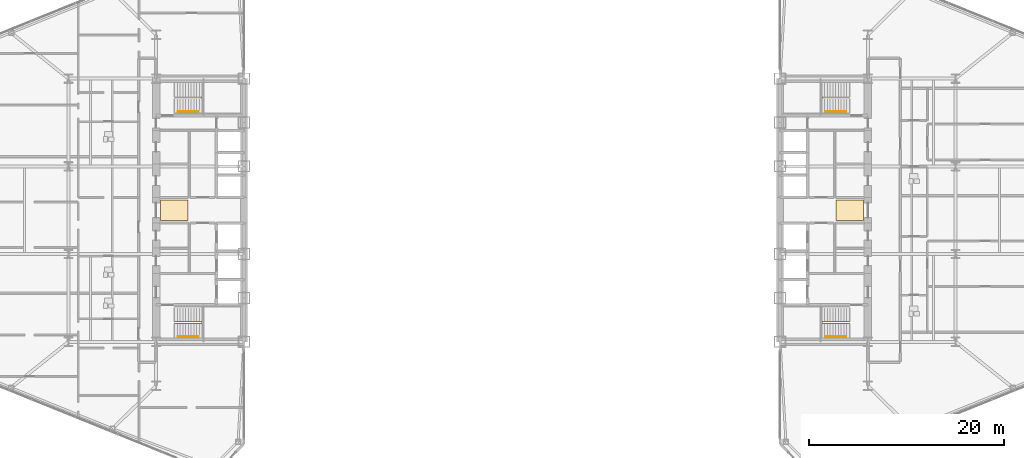
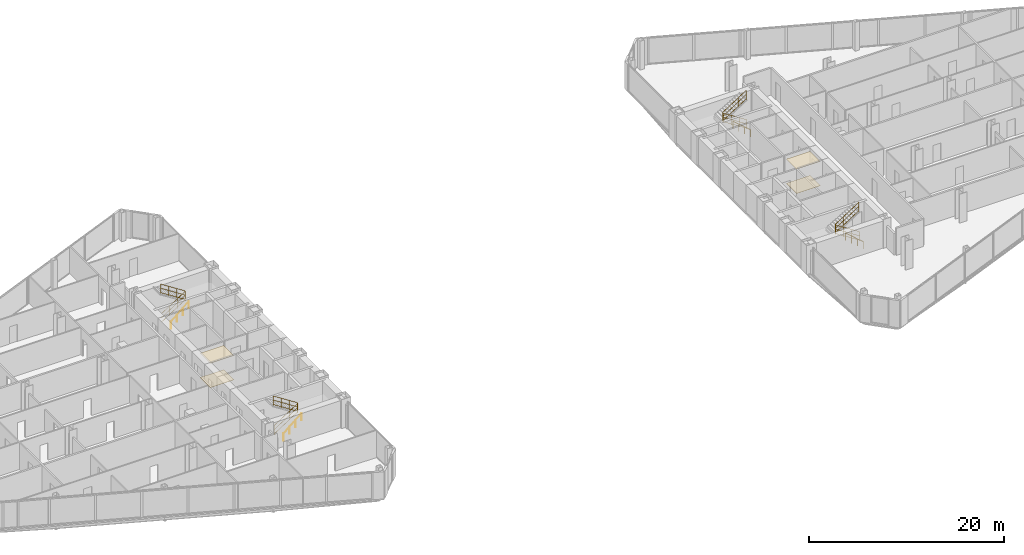
# One storey, part 24 of 25: 8 railings, 4 coverings.
"""IFC4 building model written with IfcOpenShell, lengths in metres."""

import ifcopenshell
import ifcopenshell.guid

model = None  # the IFC model being written
_history = None  # IfcOwnerHistory: only IFC2X3 demands one
_inside = {}  # id of a spatial element -> (the spatial element, [elements in it])
_under = {}  # id of a project, library or spatial element -> (it, [spatial elements below it])
_declared = {}  # id of a project -> (the project, [libraries it declares])
_typed = {}  # id of a type object -> (the type object, [elements of that type])
_made_of = {}  # id of a material, layer set ... -> (it, [elements and type objects made of it])


def new_model(schema):
    """Start an empty IFC model of exactly this schema.

    Asked for "IFC4X3", IfcOpenShell would pick the latest addendum, in which some entities
    have other attributes; the version numbers below select the first issue.
    IFC2X3 requires an IfcOwnerHistory on every rooted entity: one is made here for all.
    """
    global model, _history
    if schema == "IFC4X3":
        model = ifcopenshell.file(schema_version=(4, 3, 0, 0))
    else:
        model = ifcopenshell.file(schema=schema)
    _inside.clear()
    _under.clear()
    _declared.clear()
    _typed.clear()
    _made_of.clear()
    _history = None
    if model.schema == "IFC2X3":
        org = make("IfcOrganization", Name="unknown")
        user = make(
            "IfcPersonAndOrganization",
            ThePerson=make("IfcPerson", FamilyName="unknown"),
            TheOrganization=org,
        )
        app = make(
            "IfcApplication",
            ApplicationDeveloper=org,
            Version="unknown",
            ApplicationFullName="unknown",
            ApplicationIdentifier="unknown",
        )
        _history = make(
            "IfcOwnerHistory",
            OwningUser=user,
            OwningApplication=app,
            ChangeAction="ADDED",
            CreationDate=0,
        )
    return model


def make(cls, **values):
    """One entity of the class cls with the attributes given. An attribute that is None is left unset."""
    return model.create_entity(
        cls, **{name: value for name, value in values.items() if value is not None}
    )


def rooted(cls, **values):
    """An entity with a GlobalId (a new one), such as an element, a storey or a relation."""
    return make(cls, GlobalId=ifcopenshell.guid.new(), OwnerHistory=_history, **values)


def si_unit(unit_type, name, prefix=None):
    """IfcSIUnit, for example si_unit("LENGTHUNIT", "METRE", prefix="MILLI")."""
    return make("IfcSIUnit", UnitType=unit_type, Prefix=prefix, Name=name)


def assignment(units):
    """IfcUnitAssignment: the units of a project."""
    return None if units is None else make("IfcUnitAssignment", Units=units)


def point(xyz):
    """IfcCartesianPoint."""
    return None if xyz is None else make("IfcCartesianPoint", Coordinates=xyz)


def direction(xyz):
    """IfcDirection."""
    return None if xyz is None else make("IfcDirection", DirectionRatios=xyz)


def frame(location, z_axis=None, x_axis=None):
    """IfcAxis2Placement3D, a coordinate frame: its origin and axes. An axis left out is left unset."""
    return make(
        "IfcAxis2Placement3D",
        Location=point(location),
        Axis=direction(z_axis),
        RefDirection=direction(x_axis),
    )


def frame_2d(location, x_axis=None):
    """IfcAxis2Placement2D, a coordinate frame in the plane: its origin and x axis."""
    return make(
        "IfcAxis2Placement2D", Location=point(location), RefDirection=direction(x_axis)
    )


def origin():
    """The frame at (0, 0, 0) with its axes left unset."""
    return frame((0.0, 0.0, 0.0))


def origin_2d():
    """The frame at (0, 0) in the plane with its x axis left unset."""
    return frame_2d((0.0, 0.0))


def place(relative_to, where):
    """IfcLocalPlacement: puts the frame where relative to a parent placement (None: the world)."""
    return make(
        "IfcLocalPlacement", PlacementRelTo=relative_to, RelativePlacement=where
    )


def context(
    kind, dimensions, precision=None, world=None, true_north=None, identifier=None
):
    """IfcGeometricRepresentationContext, for example the 3D "Model" context."""
    return make(
        "IfcGeometricRepresentationContext",
        ContextIdentifier=identifier,
        ContextType=kind,
        CoordinateSpaceDimension=dimensions,
        Precision=precision,
        WorldCoordinateSystem=world,
        TrueNorth=true_north,
    )


def subcontext(parent, identifier, kind, view, scale=None):
    """IfcGeometricRepresentationSubContext, for example "Body" below "Model"."""
    return make(
        "IfcGeometricRepresentationSubContext",
        ContextIdentifier=identifier,
        ContextType=kind,
        ParentContext=parent,
        TargetScale=scale,
        TargetView=view,
    )


def project(units=None, contexts=None):
    """IfcProject with its units and contexts."""
    return rooted(
        "IfcProject",
        Name="project",
        RepresentationContexts=contexts,
        UnitsInContext=assignment(units),
    )


def spatial(cls, under=None, at=None, **own):
    """A site, building, storey or space (cls), placed at a placement, below another one or the project."""
    s = rooted(cls, ObjectPlacement=at, **own)
    if under is not None:
        _under.setdefault(under.id(), (under, []))[1].append(s)
    return s


def polyline(points):
    """IfcPolyline through the points."""
    return make("IfcPolyline", Points=[point(p) for p in points])


def profile(cls, at=None, kind="AREA", **sizes):
    """A parametric profile (cls). Its sizes go by their IFC names, for example OverallWidth=200.0."""
    return make(cls, ProfileType=kind, Position=at, **sizes)


def circle(**sizes):
    """IfcCircleProfileDef."""
    return profile("IfcCircleProfileDef", **sizes)


def outline(outer, holes=None, kind="AREA"):
    """IfcArbitraryClosedProfileDef: a profile drawn as a closed curve; with holes, ...WithVoids."""
    if holes is None:
        return make("IfcArbitraryClosedProfileDef", ProfileType=kind, OuterCurve=outer)
    return make(
        "IfcArbitraryProfileDefWithVoids",
        ProfileType=kind,
        OuterCurve=outer,
        InnerCurves=holes,
    )


def extrude(swept, where, along, depth):
    """IfcExtrudedAreaSolid: the profile swept, set in the frame where, extruded along a direction by depth."""
    return make(
        "IfcExtrudedAreaSolid",
        SweptArea=swept,
        Position=where,
        ExtrudedDirection=direction(along),
        Depth=depth,
    )


def shape(context_of_items, identifier, shape_type, items):
    """IfcShapeRepresentation: the items that make up one representation, for example the "Body"."""
    return make(
        "IfcShapeRepresentation",
        ContextOfItems=context_of_items,
        RepresentationIdentifier=identifier,
        RepresentationType=shape_type,
        Items=items,
    )


def material(Name=None, Category=None):
    """IfcMaterial."""
    return make("IfcMaterial", Name=Name, Category=Category)


def layer(
    of_material, thickness, ventilated=None, Name=None, Category=None, Priority=None
):
    """IfcMaterialLayer: one layer of a wall or slab, of a material (None: an air gap)."""
    return make(
        "IfcMaterialLayer",
        Material=of_material,
        LayerThickness=thickness,
        IsVentilated=ventilated,
        Name=Name,
        Category=Category,
        Priority=Priority,
    )


def layer_set(layers, Name=None):
    """IfcMaterialLayerSet."""
    return make("IfcMaterialLayerSet", MaterialLayers=layers, LayerSetName=Name)


def made_of(thing, what):
    """Note that an element or type object is made of a material, layer set ...; save() writes the relation."""
    if what is not None:
        _made_of.setdefault(what.id(), (what, []))[1].append(thing)
    return thing


def type_object(cls, material=None, **own):
    """A type object (cls), such as IfcWallType, which elements share."""
    return made_of(rooted(cls, **own), material)


def element(
    cls,
    number,
    at=None,
    inside=None,
    cuts=None,
    type_object=None,
    material=None,
    context=None,
    identifier="Body",
    shape_type=None,
    held_by="IfcProductDefinitionShape",
    body=None,
    shapes=None,
    **own,
):
    """One element of the class cls, such as IfcWall. Its Tag is "e" and its number.

    at: its placement. inside: the storey or other place that contains it. cuts: it is an
    opening in that element (IfcRelVoidsElement). A single representation is given by context,
    identifier, shape_type and body (its items); several are given by shapes. held_by: the class
    of the entity that holds the representations. save() writes the other relations.
    """
    e = rooted(cls, Tag="e%d" % number, ObjectPlacement=at, **own)
    if body is not None:
        shapes = [shape(context, identifier, shape_type, body)]
    if shapes is not None:
        e.Representation = make(held_by, Representations=shapes)
    if inside is not None:
        _inside.setdefault(inside.id(), (inside, []))[1].append(e)
    if cuts is not None:
        rooted(
            "IfcRelVoidsElement", RelatingBuildingElement=cuts, RelatedOpeningElement=e
        )
    if type_object is not None:
        _typed.setdefault(type_object.id(), (type_object, []))[1].append(e)
    return made_of(e, material)


def aggregate(whole, parts):
    """IfcRelAggregates: a whole, such as a stair, and the parts it consists of."""
    return rooted("IfcRelAggregates", RelatingObject=whole, RelatedObjects=parts)


def save(model, path):
    """Write the relations noted so far, then the file.

    IfcRelAggregates (storeys below a building ...), IfcRelContainedInSpatialStructure (elements
    in a storey), IfcRelDefinesByType, IfcRelAssociatesMaterial and IfcRelDeclares: one each for
    every whole, place, type object, material and project.
    """
    for whole, parts in _under.values():
        aggregate(whole, parts)
    for where, things in _inside.values():
        rooted(
            "IfcRelContainedInSpatialStructure",
            RelatedElements=things,
            RelatingStructure=where,
        )
    for kind, things in _typed.values():
        rooted("IfcRelDefinesByType", RelatedObjects=things, RelatingType=kind)
    for what, things in _made_of.values():
        rooted("IfcRelAssociatesMaterial", RelatedObjects=things, RelatingMaterial=what)
    for by, libraries in _declared.values():
        rooted("IfcRelDeclares", RelatingContext=by, RelatedDefinitions=libraries)
    model.write(path)


model = new_model("IFC4")

# Units and contexts
model_context = context("Model", 3, precision=1e-05, world=origin(), true_north=direction((0.0, 1.0)))
body_context = subcontext(model_context, "Body", "Model", "MODEL_VIEW")
ifc_project = project(units=[si_unit("LENGTHUNIT", "METRE"), si_unit("AREAUNIT", "SQUARE_METRE"), si_unit("VOLUMEUNIT", "CUBIC_METRE"), si_unit("PLANEANGLEUNIT", "RADIAN"), si_unit("MASSUNIT", "GRAM", prefix="KILO")], contexts=[model_context])

# Site, building, storey
site_placement = place(None, origin())
site = spatial("IfcSite", under=ifc_project, at=site_placement, CompositionType="ELEMENT")
building_placement = place(site_placement, origin())
building = spatial("IfcBuilding", under=site, at=building_placement, Name="Seokmaru Belvedere", CompositionType="ELEMENT")
storey_placement = place(building_placement, frame((0.0, 0.0, 51.300048828125)))
storey = spatial("IfcBuildingStorey", under=building, at=storey_placement, Name="L13", CompositionType="ELEMENT", Elevation=51.300048828125)

# Coverings
ifc_material_1 = material(Name="Engineered White Oak Timber", Category="wood")
ifc_layer_1 = layer(ifc_material_1, 0.02197265625)
ifc_layer_set_1 = layer_set([ifc_layer_1], Name="Engineered White Oak Timber")
covering_type_1 = type_object("IfcCoveringType", Name="Engineered Oak Residence Floor Finish 22", PredefinedType="FLOORING", material=ifc_layer_set_1)
covering_1_placement = place(storey_placement, origin())
element("IfcCovering", 1, at=covering_1_placement, inside=storey, type_object=covering_type_1, Name="L13 W Foyer Floor Finish", PredefinedType="FLOORING", context=body_context, shape_type="SweptSolid", body=[
    extrude(outline(polyline([(-36.050048828125, -1.050048828125), (-33.25, -1.050048828125), (-33.25, 1.050048828125), (-36.050048828125, 1.050048828125), (-36.050048828125, -1.050048828125)])), origin(), (0.0, 0.0, 1.0), 0.02197265625),
])
covering_2_placement = place(storey_placement, origin())
element("IfcCovering", 2, at=covering_2_placement, inside=storey, type_object=covering_type_1, Name="L13 E Foyer Floor Finish", PredefinedType="FLOORING", context=body_context, shape_type="SweptSolid", body=[
    extrude(outline(polyline([(33.25, -1.050048828125), (36.050048828125, -1.050048828125), (36.050048828125, 1.050048828125), (33.25, 1.050048828125), (33.25, -1.050048828125)])), origin(), (0.0, 0.0, 1.0), 0.02197265625),
])
ifc_material_2 = material(Name="Fire-Rated Gypsum Shaftwall")
ifc_layer_2 = layer(ifc_material_2, 0.02490234375)
ifc_layer_set_2 = layer_set([ifc_layer_2], Name="Fire-Rated Gypsum Shaftwall")
covering_type_2 = type_object("IfcCoveringType", Name="Perforated Acoustic Gypsum Suspended Ceiling 25", PredefinedType="CEILING", material=ifc_layer_set_2)
covering_3_placement = place(storey_placement, frame((0.0, 0.0, 3.030029296875)))
element("IfcCovering", 3, at=covering_3_placement, inside=storey, type_object=covering_type_2, Name="L13 W Lift Foyer Acoustic Ceiling", PredefinedType="CEILING", context=body_context, shape_type="SweptSolid", body=[
    extrude(outline(polyline([(-36.050048828125, -1.050048828125), (-33.25, -1.050048828125), (-33.25, 1.050048828125), (-36.050048828125, 1.050048828125), (-36.050048828125, -1.050048828125)])), origin(), (0.0, 0.0, 1.0), 0.02490234375),
])
covering_4_placement = place(storey_placement, frame((0.0, 0.0, 3.030029296875)))
element("IfcCovering", 4, at=covering_4_placement, inside=storey, type_object=covering_type_2, Name="L13 E Lift Foyer Acoustic Ceiling", PredefinedType="CEILING", context=body_context, shape_type="SweptSolid", body=[
    extrude(outline(polyline([(33.25, -1.050048828125), (36.050048828125, -1.050048828125), (36.050048828125, 1.050048828125), (33.25, 1.050048828125), (33.25, -1.050048828125)])), origin(), (0.0, 0.0, 1.0), 0.02490234375),
])

# Railings
ifc_material_3 = material(Name="Stainless Steel 316", Category="steel")
railing_type_1 = type_object("IfcRailingType", Name="Stainless Steel Wall and Flight Handrail 900", PredefinedType="HANDRAIL", material=ifc_material_3)
for number, where, name in (
    (5, (-34.25, -12.949951171875, 0.0), "L13 Stair ST-W1 Wall Handrail"),
    (6, (-34.25, 10.110107421875, 0.0), "L13 Stair ST-W2 Wall Handrail"),
):
    element("IfcRailing", number, at=place(storey_placement, frame(where)), inside=storey, type_object=railing_type_1, Name=name, PredefinedType="HANDRAIL", context=body_context, shape_type="SweptSolid", body=[
        extrude(circle(Radius=0.02392578125, at=origin_2d()), frame((0.0, 0.0, 0.8759765625), z_axis=(0.759262832861, 0.0, 0.650784104474), x_axis=(0.0, 1.0, 0.0)), (0.0, 0.0, 1.0), 2.765869140625),
        extrude(circle(Radius=0.02099609375, at=origin_2d()), origin(), (0.0, 0.0, 1.0), 0.851806640625),
        extrude(circle(Radius=0.02099609375, at=origin_2d()), frame((0.699951171875, 0.0, 0.60009765625)), (0.0, 0.0, 1.0), 0.851806640625),
        extrude(circle(Radius=0.02099609375, at=origin_2d()), frame((1.400146484375, 0.0, 1.199951171875)), (0.0, 0.0, 1.0), 0.851806640625),
        extrude(circle(Radius=0.02099609375, at=origin_2d()), frame((2.10009765625, 0.0, 1.800048828125)), (0.0, 0.0, 1.0), 0.851806640625),
    ])
for number, where, name in (
    (7, (34.25, -12.949951171875, 0.0), "L13 Stair ST-E1 Wall Handrail"),
    (8, (34.25, 10.110107421875, 0.0), "L13 Stair ST-E2 Wall Handrail"),
):
    element("IfcRailing", number, at=place(storey_placement, frame(where)), inside=storey, type_object=railing_type_1, Name=name, PredefinedType="HANDRAIL", context=body_context, shape_type="SweptSolid", body=[
        extrude(circle(Radius=0.02392578125, at=origin_2d()), frame((0.0, 0.0, 0.8759765625), z_axis=(-0.759262832861, 0.0, 0.650784104474), x_axis=(0.0, -1.0, 0.0)), (0.0, 0.0, 1.0), 2.765869140625),
        extrude(circle(Radius=0.02099609375, at=origin_2d()), origin(), (0.0, 0.0, 1.0), 0.851806640625),
        extrude(circle(Radius=0.02099609375, at=origin_2d()), frame((-0.699951171875, 0.0, 0.60009765625)), (0.0, 0.0, 1.0), 0.851806640625),
        extrude(circle(Radius=0.02099609375, at=origin_2d()), frame((-1.400146484375, 0.0, 1.199951171875)), (0.0, 0.0, 1.0), 0.851806640625),
        extrude(circle(Radius=0.02099609375, at=origin_2d()), frame((-2.10009765625, 0.0, 1.800048828125)), (0.0, 0.0, 1.0), 0.851806640625),
    ])
railing_type_2 = type_object("IfcRailingType", Name="Stair Well and Atrium Steel Guardrail 1200", PredefinedType="GUARDRAIL", material=ifc_material_3)
railing_1_placement = place(storey_placement, frame((-34.60009765625, -11.60009765625, 0.0)))
element("IfcRailing", 9, at=railing_1_placement, inside=storey, type_object=railing_type_2, Name="L13 Stair ST-W1 Inner Well Guardrail", PredefinedType="GUARDRAIL", context=body_context, shape_type="SweptSolid", body=[
    extrude(circle(Radius=0.02392578125, at=origin_2d()), frame((0.0, 0.0, 1.17578125), z_axis=(0.841176092368, 0.0, 0.540761298198), x_axis=(0.0, 1.0, 0.0)), (0.0, 0.0, 1.0), 3.32861328125),
    extrude(circle(Radius=0.02392578125, at=origin_2d()), frame((0.0, 0.0, 0.1201171875), z_axis=(0.841176092368, 0.0, 0.540761298198), x_axis=(0.0, 1.0, 0.0)), (0.0, 0.0, 1.0), 3.32861328125),
    extrude(circle(Radius=0.02392578125, at=origin_2d()), frame((0.0, 0.0, 0.659912109375), z_axis=(0.841176092368, 0.0, 0.540761298198), x_axis=(0.0, 1.0, 0.0)), (0.0, 0.0, 1.0), 3.32861328125),
    extrude(circle(Radius=0.02392578125, at=origin_2d()), frame((2.800048828125, 0.0, 2.97607421875), z_axis=(0.0, 1.0, 0.0), x_axis=(-1.0, 0.0, 0.0)), (0.0, 0.0, 1.0), 0.14013671875),
    extrude(circle(Radius=0.02392578125, at=origin_2d()), frame((2.800048828125, 0.0, 1.920166015625), z_axis=(0.0, 1.0, 0.0), x_axis=(-1.0, 0.0, 0.0)), (0.0, 0.0, 1.0), 0.14013671875),
    extrude(circle(Radius=0.02392578125, at=origin_2d()), frame((2.800048828125, 0.0, 2.4599609375), z_axis=(0.0, 1.0, 0.0), x_axis=(-1.0, 0.0, 0.0)), (0.0, 0.0, 1.0), 0.14013671875),
    extrude(circle(Radius=0.02392578125, at=origin_2d()), frame((2.800048828125, 0.14013671875, 2.97607421875), z_axis=(-0.841209454229, 0.0, 0.540709398952), x_axis=(0.0, -1.0, 0.0)), (0.0, 0.0, 1.0), 3.32861328125),
    extrude(circle(Radius=0.02392578125, at=origin_2d()), frame((2.800048828125, 0.14013671875, 1.920166015625), z_axis=(-0.841209454229, 0.0, 0.540709398952), x_axis=(0.0, -1.0, 0.0)), (0.0, 0.0, 1.0), 3.32861328125),
    extrude(circle(Radius=0.02392578125, at=origin_2d()), frame((2.800048828125, 0.14013671875, 2.4599609375), z_axis=(-0.841209454229, 0.0, 0.540709398952), x_axis=(0.0, -1.0, 0.0)), (0.0, 0.0, 1.0), 3.32861328125),
    extrude(circle(Radius=0.02099609375, at=origin_2d()), origin(), (0.0, 0.0, 1.0), 1.15185546875),
    extrude(circle(Radius=0.02099609375, at=origin_2d()), frame((0.933349609375, 0.0, 0.60009765625)), (0.0, 0.0, 1.0), 1.15185546875),
    extrude(circle(Radius=0.02099609375, at=origin_2d()), frame((1.86669921875, 0.0, 1.199951171875)), (0.0, 0.0, 1.0), 1.15185546875),
    extrude(circle(Radius=0.02099609375, at=origin_2d()), frame((2.800048828125, 0.0, 1.800048828125)), (0.0, 0.0, 1.0), 1.15185546875),
    extrude(circle(Radius=0.02099609375, at=origin_2d()), frame((2.800048828125, 0.14013671875, 1.800048828125)), (0.0, 0.0, 1.0), 1.15185546875),
    extrude(circle(Radius=0.02099609375, at=origin_2d()), frame((1.86669921875, 0.14013671875, 2.39990234375)), (0.0, 0.0, 1.0), 1.15185546875),
    extrude(circle(Radius=0.02099609375, at=origin_2d()), frame((0.933349609375, 0.14013671875, 3.0)), (0.0, 0.0, 1.0), 1.15185546875),
    extrude(circle(Radius=0.02099609375, at=origin_2d()), frame((0.0, 0.14013671875, 3.599853515625)), (0.0, 0.0, 1.0), 1.15185546875),
])
railing_2_placement = place(storey_placement, frame((-34.60009765625, 11.4599609375, 0.0)))
element("IfcRailing", 10, at=railing_2_placement, inside=storey, type_object=railing_type_2, Name="L13 Stair ST-W2 Inner Well Guardrail", PredefinedType="GUARDRAIL", context=body_context, shape_type="SweptSolid", body=[
    extrude(circle(Radius=0.02392578125, at=origin_2d()), frame((0.0, 0.0, 1.17578125), z_axis=(0.841176092368, 0.0, 0.540761298198), x_axis=(0.0, 1.0, 0.0)), (0.0, 0.0, 1.0), 3.32861328125),
    extrude(circle(Radius=0.02392578125, at=origin_2d()), frame((0.0, 0.0, 0.1201171875), z_axis=(0.841176092368, 0.0, 0.540761298198), x_axis=(0.0, 1.0, 0.0)), (0.0, 0.0, 1.0), 3.32861328125),
    extrude(circle(Radius=0.02392578125, at=origin_2d()), frame((0.0, 0.0, 0.659912109375), z_axis=(0.841176092368, 0.0, 0.540761298198), x_axis=(0.0, 1.0, 0.0)), (0.0, 0.0, 1.0), 3.32861328125),
    extrude(circle(Radius=0.02392578125, at=origin_2d()), frame((2.800048828125, 0.0, 2.97607421875), z_axis=(0.0, 1.0, 0.0), x_axis=(-1.0, 0.0, 0.0)), (0.0, 0.0, 1.0), 0.14013671875),
    extrude(circle(Radius=0.02392578125, at=origin_2d()), frame((2.800048828125, 0.0, 1.920166015625), z_axis=(0.0, 1.0, 0.0), x_axis=(-1.0, 0.0, 0.0)), (0.0, 0.0, 1.0), 0.14013671875),
    extrude(circle(Radius=0.02392578125, at=origin_2d()), frame((2.800048828125, 0.0, 2.4599609375), z_axis=(0.0, 1.0, 0.0), x_axis=(-1.0, 0.0, 0.0)), (0.0, 0.0, 1.0), 0.14013671875),
    extrude(circle(Radius=0.02392578125, at=origin_2d()), frame((2.800048828125, 0.14013671875, 2.97607421875), z_axis=(-0.841209454229, 0.0, 0.540709398952), x_axis=(0.0, -1.0, 0.0)), (0.0, 0.0, 1.0), 3.32861328125),
    extrude(circle(Radius=0.02392578125, at=origin_2d()), frame((2.800048828125, 0.14013671875, 1.920166015625), z_axis=(-0.841209454229, 0.0, 0.540709398952), x_axis=(0.0, -1.0, 0.0)), (0.0, 0.0, 1.0), 3.32861328125),
    extrude(circle(Radius=0.02392578125, at=origin_2d()), frame((2.800048828125, 0.14013671875, 2.4599609375), z_axis=(-0.841209454229, 0.0, 0.540709398952), x_axis=(0.0, -1.0, 0.0)), (0.0, 0.0, 1.0), 3.32861328125),
    extrude(circle(Radius=0.02099609375, at=origin_2d()), origin(), (0.0, 0.0, 1.0), 1.15185546875),
    extrude(circle(Radius=0.02099609375, at=origin_2d()), frame((0.933349609375, 0.0, 0.60009765625)), (0.0, 0.0, 1.0), 1.15185546875),
    extrude(circle(Radius=0.02099609375, at=origin_2d()), frame((1.86669921875, 0.0, 1.199951171875)), (0.0, 0.0, 1.0), 1.15185546875),
    extrude(circle(Radius=0.02099609375, at=origin_2d()), frame((2.800048828125, 0.0, 1.800048828125)), (0.0, 0.0, 1.0), 1.15185546875),
    extrude(circle(Radius=0.02099609375, at=origin_2d()), frame((2.800048828125, 0.14013671875, 1.800048828125)), (0.0, 0.0, 1.0), 1.15185546875),
    extrude(circle(Radius=0.02099609375, at=origin_2d()), frame((1.86669921875, 0.14013671875, 2.39990234375)), (0.0, 0.0, 1.0), 1.15185546875),
    extrude(circle(Radius=0.02099609375, at=origin_2d()), frame((0.933349609375, 0.14013671875, 3.0)), (0.0, 0.0, 1.0), 1.15185546875),
    extrude(circle(Radius=0.02099609375, at=origin_2d()), frame((0.0, 0.14013671875, 3.599853515625)), (0.0, 0.0, 1.0), 1.15185546875),
])
railing_3_placement = place(storey_placement, frame((34.60009765625, -11.60009765625, 0.0)))
element("IfcRailing", 11, at=railing_3_placement, inside=storey, type_object=railing_type_2, Name="L13 Stair ST-E1 Inner Well Guardrail", PredefinedType="GUARDRAIL", context=body_context, shape_type="SweptSolid", body=[
    extrude(circle(Radius=0.02392578125, at=origin_2d()), frame((0.0, 0.0, 1.17578125), z_axis=(-0.841176092368, 0.0, 0.540761298198), x_axis=(0.0, -1.0, 0.0)), (0.0, 0.0, 1.0), 3.32861328125),
    extrude(circle(Radius=0.02392578125, at=origin_2d()), frame((0.0, 0.0, 0.1201171875), z_axis=(-0.841176092368, 0.0, 0.540761298198), x_axis=(0.0, -1.0, 0.0)), (0.0, 0.0, 1.0), 3.32861328125),
    extrude(circle(Radius=0.02392578125, at=origin_2d()), frame((0.0, 0.0, 0.659912109375), z_axis=(-0.841176092368, 0.0, 0.540761298198), x_axis=(0.0, -1.0, 0.0)), (0.0, 0.0, 1.0), 3.32861328125),
    extrude(circle(Radius=0.02392578125, at=origin_2d()), frame((-2.800048828125, 0.0, 2.97607421875), z_axis=(0.0, 1.0, 0.0), x_axis=(-1.0, 0.0, 0.0)), (0.0, 0.0, 1.0), 0.14013671875),
    extrude(circle(Radius=0.02392578125, at=origin_2d()), frame((-2.800048828125, 0.0, 1.920166015625), z_axis=(0.0, 1.0, 0.0), x_axis=(-1.0, 0.0, 0.0)), (0.0, 0.0, 1.0), 0.14013671875),
    extrude(circle(Radius=0.02392578125, at=origin_2d()), frame((-2.800048828125, 0.0, 2.4599609375), z_axis=(0.0, 1.0, 0.0), x_axis=(-1.0, 0.0, 0.0)), (0.0, 0.0, 1.0), 0.14013671875),
    extrude(circle(Radius=0.02392578125, at=origin_2d()), frame((-2.800048828125, 0.14013671875, 2.97607421875), z_axis=(0.841209454229, 0.0, 0.540709398952), x_axis=(0.0, 1.0, 0.0)), (0.0, 0.0, 1.0), 3.32861328125),
    extrude(circle(Radius=0.02392578125, at=origin_2d()), frame((-2.800048828125, 0.14013671875, 1.920166015625), z_axis=(0.841209454229, 0.0, 0.540709398952), x_axis=(0.0, 1.0, 0.0)), (0.0, 0.0, 1.0), 3.32861328125),
    extrude(circle(Radius=0.02392578125, at=origin_2d()), frame((-2.800048828125, 0.14013671875, 2.4599609375), z_axis=(0.841209454229, 0.0, 0.540709398952), x_axis=(0.0, 1.0, 0.0)), (0.0, 0.0, 1.0), 3.32861328125),
    extrude(circle(Radius=0.02099609375, at=origin_2d()), origin(), (0.0, 0.0, 1.0), 1.15185546875),
    extrude(circle(Radius=0.02099609375, at=origin_2d()), frame((-0.933349609375, 0.0, 0.60009765625)), (0.0, 0.0, 1.0), 1.15185546875),
    extrude(circle(Radius=0.02099609375, at=origin_2d()), frame((-1.86669921875, 0.0, 1.199951171875)), (0.0, 0.0, 1.0), 1.15185546875),
    extrude(circle(Radius=0.02099609375, at=origin_2d()), frame((-2.800048828125, 0.0, 1.800048828125)), (0.0, 0.0, 1.0), 1.15185546875),
    extrude(circle(Radius=0.02099609375, at=origin_2d()), frame((-2.800048828125, 0.14013671875, 1.800048828125)), (0.0, 0.0, 1.0), 1.15185546875),
    extrude(circle(Radius=0.02099609375, at=origin_2d()), frame((-1.86669921875, 0.14013671875, 2.39990234375)), (0.0, 0.0, 1.0), 1.15185546875),
    extrude(circle(Radius=0.02099609375, at=origin_2d()), frame((-0.933349609375, 0.14013671875, 3.0)), (0.0, 0.0, 1.0), 1.15185546875),
    extrude(circle(Radius=0.02099609375, at=origin_2d()), frame((0.0, 0.14013671875, 3.599853515625)), (0.0, 0.0, 1.0), 1.15185546875),
])
railing_4_placement = place(storey_placement, frame((34.60009765625, 11.4599609375, 0.0)))
element("IfcRailing", 12, at=railing_4_placement, inside=storey, type_object=railing_type_2, Name="L13 Stair ST-E2 Inner Well Guardrail", PredefinedType="GUARDRAIL", context=body_context, shape_type="SweptSolid", body=[
    extrude(circle(Radius=0.02392578125, at=origin_2d()), frame((0.0, 0.0, 1.17578125), z_axis=(-0.841176092368, 0.0, 0.540761298198), x_axis=(0.0, -1.0, 0.0)), (0.0, 0.0, 1.0), 3.32861328125),
    extrude(circle(Radius=0.02392578125, at=origin_2d()), frame((0.0, 0.0, 0.1201171875), z_axis=(-0.841176092368, 0.0, 0.540761298198), x_axis=(0.0, -1.0, 0.0)), (0.0, 0.0, 1.0), 3.32861328125),
    extrude(circle(Radius=0.02392578125, at=origin_2d()), frame((0.0, 0.0, 0.659912109375), z_axis=(-0.841176092368, 0.0, 0.540761298198), x_axis=(0.0, -1.0, 0.0)), (0.0, 0.0, 1.0), 3.32861328125),
    extrude(circle(Radius=0.02392578125, at=origin_2d()), frame((-2.800048828125, 0.0, 2.97607421875), z_axis=(0.0, 1.0, 0.0), x_axis=(-1.0, 0.0, 0.0)), (0.0, 0.0, 1.0), 0.14013671875),
    extrude(circle(Radius=0.02392578125, at=origin_2d()), frame((-2.800048828125, 0.0, 1.920166015625), z_axis=(0.0, 1.0, 0.0), x_axis=(-1.0, 0.0, 0.0)), (0.0, 0.0, 1.0), 0.14013671875),
    extrude(circle(Radius=0.02392578125, at=origin_2d()), frame((-2.800048828125, 0.0, 2.4599609375), z_axis=(0.0, 1.0, 0.0), x_axis=(-1.0, 0.0, 0.0)), (0.0, 0.0, 1.0), 0.14013671875),
    extrude(circle(Radius=0.02392578125, at=origin_2d()), frame((-2.800048828125, 0.14013671875, 2.97607421875), z_axis=(0.841209454229, 0.0, 0.540709398952), x_axis=(0.0, 1.0, 0.0)), (0.0, 0.0, 1.0), 3.32861328125),
    extrude(circle(Radius=0.02392578125, at=origin_2d()), frame((-2.800048828125, 0.14013671875, 1.920166015625), z_axis=(0.841209454229, 0.0, 0.540709398952), x_axis=(0.0, 1.0, 0.0)), (0.0, 0.0, 1.0), 3.32861328125),
    extrude(circle(Radius=0.02392578125, at=origin_2d()), frame((-2.800048828125, 0.14013671875, 2.4599609375), z_axis=(0.841209454229, 0.0, 0.540709398952), x_axis=(0.0, 1.0, 0.0)), (0.0, 0.0, 1.0), 3.32861328125),
    extrude(circle(Radius=0.02099609375, at=origin_2d()), origin(), (0.0, 0.0, 1.0), 1.15185546875),
    extrude(circle(Radius=0.02099609375, at=origin_2d()), frame((-0.933349609375, 0.0, 0.60009765625)), (0.0, 0.0, 1.0), 1.15185546875),
    extrude(circle(Radius=0.02099609375, at=origin_2d()), frame((-1.86669921875, 0.0, 1.199951171875)), (0.0, 0.0, 1.0), 1.15185546875),
    extrude(circle(Radius=0.02099609375, at=origin_2d()), frame((-2.800048828125, 0.0, 1.800048828125)), (0.0, 0.0, 1.0), 1.15185546875),
    extrude(circle(Radius=0.02099609375, at=origin_2d()), frame((-2.800048828125, 0.14013671875, 1.800048828125)), (0.0, 0.0, 1.0), 1.15185546875),
    extrude(circle(Radius=0.02099609375, at=origin_2d()), frame((-1.86669921875, 0.14013671875, 2.39990234375)), (0.0, 0.0, 1.0), 1.15185546875),
    extrude(circle(Radius=0.02099609375, at=origin_2d()), frame((-0.933349609375, 0.14013671875, 3.0)), (0.0, 0.0, 1.0), 1.15185546875),
    extrude(circle(Radius=0.02099609375, at=origin_2d()), frame((0.0, 0.14013671875, 3.599853515625)), (0.0, 0.0, 1.0), 1.15185546875),
])

save(model, "model.ifc")
